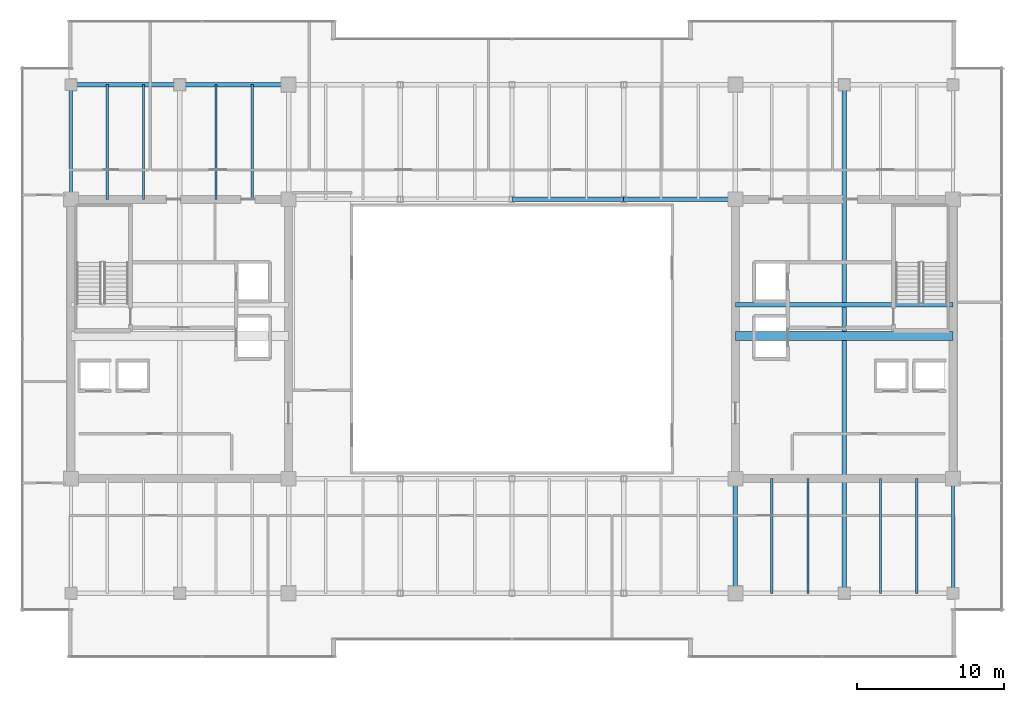
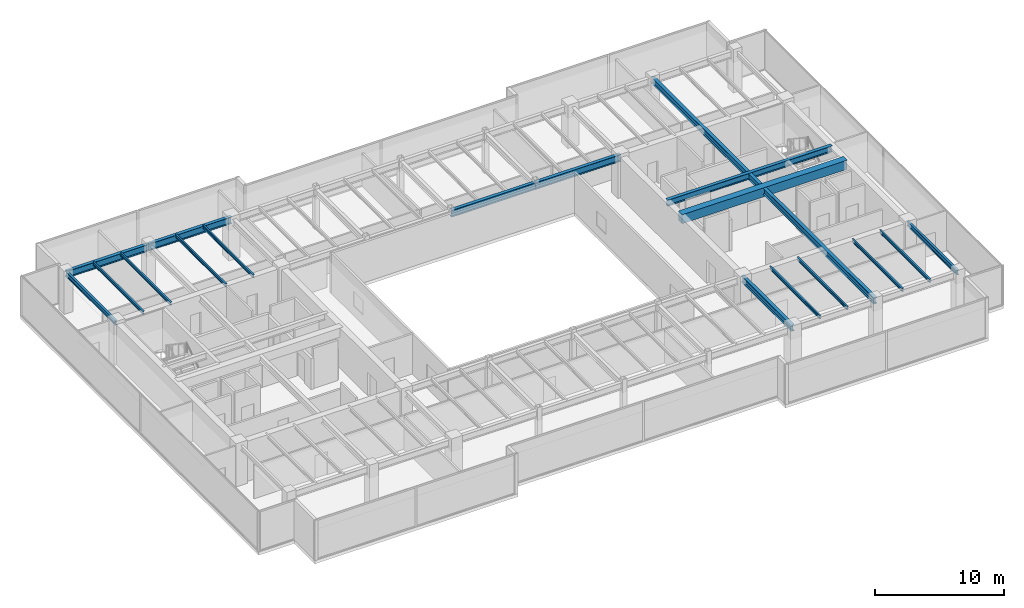
# One storey, part 14 of 35: 18 beams.
"""IFC4 building model written with IfcOpenShell, lengths in metres."""

import ifcopenshell
import ifcopenshell.guid

model = None  # the IFC model being written
_history = None  # IfcOwnerHistory: only IFC2X3 demands one
_inside = {}  # id of a spatial element -> (the spatial element, [elements in it])
_under = {}  # id of a project, library or spatial element -> (it, [spatial elements below it])
_declared = {}  # id of a project -> (the project, [libraries it declares])
_typed = {}  # id of a type object -> (the type object, [elements of that type])
_made_of = {}  # id of a material, layer set ... -> (it, [elements and type objects made of it])


def new_model(schema):
    """Start an empty IFC model of exactly this schema.

    Asked for "IFC4X3", IfcOpenShell would pick the latest addendum, in which some entities
    have other attributes; the version numbers below select the first issue.
    IFC2X3 requires an IfcOwnerHistory on every rooted entity: one is made here for all.
    """
    global model, _history
    if schema == "IFC4X3":
        model = ifcopenshell.file(schema_version=(4, 3, 0, 0))
    else:
        model = ifcopenshell.file(schema=schema)
    _inside.clear()
    _under.clear()
    _declared.clear()
    _typed.clear()
    _made_of.clear()
    _history = None
    if model.schema == "IFC2X3":
        org = make("IfcOrganization", Name="unknown")
        user = make(
            "IfcPersonAndOrganization",
            ThePerson=make("IfcPerson", FamilyName="unknown"),
            TheOrganization=org,
        )
        app = make(
            "IfcApplication",
            ApplicationDeveloper=org,
            Version="unknown",
            ApplicationFullName="unknown",
            ApplicationIdentifier="unknown",
        )
        _history = make(
            "IfcOwnerHistory",
            OwningUser=user,
            OwningApplication=app,
            ChangeAction="ADDED",
            CreationDate=0,
        )
    return model


def make(cls, **values):
    """One entity of the class cls with the attributes given. An attribute that is None is left unset."""
    return model.create_entity(
        cls, **{name: value for name, value in values.items() if value is not None}
    )


def rooted(cls, **values):
    """An entity with a GlobalId (a new one), such as an element, a storey or a relation."""
    return make(cls, GlobalId=ifcopenshell.guid.new(), OwnerHistory=_history, **values)


def si_unit(unit_type, name, prefix=None):
    """IfcSIUnit, for example si_unit("LENGTHUNIT", "METRE", prefix="MILLI")."""
    return make("IfcSIUnit", UnitType=unit_type, Prefix=prefix, Name=name)


def assignment(units):
    """IfcUnitAssignment: the units of a project."""
    return None if units is None else make("IfcUnitAssignment", Units=units)


def point(xyz):
    """IfcCartesianPoint."""
    return None if xyz is None else make("IfcCartesianPoint", Coordinates=xyz)


def direction(xyz):
    """IfcDirection."""
    return None if xyz is None else make("IfcDirection", DirectionRatios=xyz)


def frame(location, z_axis=None, x_axis=None):
    """IfcAxis2Placement3D, a coordinate frame: its origin and axes. An axis left out is left unset."""
    return make(
        "IfcAxis2Placement3D",
        Location=point(location),
        Axis=direction(z_axis),
        RefDirection=direction(x_axis),
    )


def frame_2d(location, x_axis=None):
    """IfcAxis2Placement2D, a coordinate frame in the plane: its origin and x axis."""
    return make(
        "IfcAxis2Placement2D", Location=point(location), RefDirection=direction(x_axis)
    )


def origin():
    """The frame at (0, 0, 0) with its axes left unset."""
    return frame((0.0, 0.0, 0.0))


def origin_2d():
    """The frame at (0, 0) in the plane with its x axis left unset."""
    return frame_2d((0.0, 0.0))


def place(relative_to, where):
    """IfcLocalPlacement: puts the frame where relative to a parent placement (None: the world)."""
    return make(
        "IfcLocalPlacement", PlacementRelTo=relative_to, RelativePlacement=where
    )


def context(
    kind, dimensions, precision=None, world=None, true_north=None, identifier=None
):
    """IfcGeometricRepresentationContext, for example the 3D "Model" context."""
    return make(
        "IfcGeometricRepresentationContext",
        ContextIdentifier=identifier,
        ContextType=kind,
        CoordinateSpaceDimension=dimensions,
        Precision=precision,
        WorldCoordinateSystem=world,
        TrueNorth=true_north,
    )


def subcontext(parent, identifier, kind, view, scale=None):
    """IfcGeometricRepresentationSubContext, for example "Body" below "Model"."""
    return make(
        "IfcGeometricRepresentationSubContext",
        ContextIdentifier=identifier,
        ContextType=kind,
        ParentContext=parent,
        TargetScale=scale,
        TargetView=view,
    )


def project(units=None, contexts=None):
    """IfcProject with its units and contexts."""
    return rooted(
        "IfcProject",
        Name="project",
        RepresentationContexts=contexts,
        UnitsInContext=assignment(units),
    )


def spatial(cls, under=None, at=None, **own):
    """A site, building, storey or space (cls), placed at a placement, below another one or the project."""
    s = rooted(cls, ObjectPlacement=at, **own)
    if under is not None:
        _under.setdefault(under.id(), (under, []))[1].append(s)
    return s


def profile(cls, at=None, kind="AREA", **sizes):
    """A parametric profile (cls). Its sizes go by their IFC names, for example OverallWidth=200.0."""
    return make(cls, ProfileType=kind, Position=at, **sizes)


def rectangle(**sizes):
    """IfcRectangleProfileDef."""
    return profile("IfcRectangleProfileDef", **sizes)


def i_section(**sizes):
    """IfcIShapeProfileDef."""
    return profile("IfcIShapeProfileDef", **sizes)


def extrude(swept, where, along, depth):
    """IfcExtrudedAreaSolid: the profile swept, set in the frame where, extruded along a direction by depth."""
    return make(
        "IfcExtrudedAreaSolid",
        SweptArea=swept,
        Position=where,
        ExtrudedDirection=direction(along),
        Depth=depth,
    )


def shape(context_of_items, identifier, shape_type, items):
    """IfcShapeRepresentation: the items that make up one representation, for example the "Body"."""
    return make(
        "IfcShapeRepresentation",
        ContextOfItems=context_of_items,
        RepresentationIdentifier=identifier,
        RepresentationType=shape_type,
        Items=items,
    )


def source(mapping_origin, context_of_items, identifier, shape_type, items):
    """IfcRepresentationMap: a shape defined once, which mapped items show again and again."""
    return make(
        "IfcRepresentationMap",
        MappingOrigin=mapping_origin,
        MappedRepresentation=shape(context_of_items, identifier, shape_type, items),
    )


def transform(
    local_origin,
    x_axis=None,
    y_axis=None,
    z_axis=None,
    scale=None,
    scale2=None,
    scale3=None,
    uniform=True,
):
    """IfcCartesianTransformationOperator3D, or its non-uniform kind. x_axis, y_axis, z_axis: its Axis1, 2, 3."""
    if uniform:
        return make(
            "IfcCartesianTransformationOperator3D",
            Axis1=direction(x_axis),
            Axis2=direction(y_axis),
            LocalOrigin=point(local_origin),
            Scale=scale,
            Axis3=direction(z_axis),
        )
    return make(
        "IfcCartesianTransformationOperator3DnonUniform",
        Axis1=direction(x_axis),
        Axis2=direction(y_axis),
        LocalOrigin=point(local_origin),
        Scale=scale,
        Axis3=direction(z_axis),
        Scale2=scale2,
        Scale3=scale3,
    )


def mapped(mapping_source, mapping_target):
    """IfcMappedItem: shows the shape of a source again, moved by a transform."""
    return make(
        "IfcMappedItem", MappingSource=mapping_source, MappingTarget=mapping_target
    )


def material(Name=None, Category=None):
    """IfcMaterial."""
    return make("IfcMaterial", Name=Name, Category=Category)


def material_profile(
    of_material, cross_section, Name=None, Category=None, Priority=None
):
    """IfcMaterialProfile: a cross section and its material."""
    return make(
        "IfcMaterialProfile",
        Name=Name,
        Material=of_material,
        Profile=cross_section,
        Priority=Priority,
        Category=Category,
    )


def profile_set(profiles, Name=None, composite=None):
    """IfcMaterialProfileSet."""
    return make(
        "IfcMaterialProfileSet",
        Name=Name,
        MaterialProfiles=profiles,
        CompositeProfile=composite,
    )


def made_of(thing, what):
    """Note that an element or type object is made of a material, layer set ...; save() writes the relation."""
    if what is not None:
        _made_of.setdefault(what.id(), (what, []))[1].append(thing)
    return thing


def type_object(cls, material=None, **own):
    """A type object (cls), such as IfcWallType, which elements share."""
    return made_of(rooted(cls, **own), material)


def type_shapes(of_type, sources):
    """Give a type object the sources (RepresentationMaps) that its elements show as mapped items."""
    of_type.RepresentationMaps = sources


def element(
    cls,
    number,
    at=None,
    inside=None,
    cuts=None,
    type_object=None,
    material=None,
    context=None,
    identifier="Body",
    shape_type=None,
    held_by="IfcProductDefinitionShape",
    body=None,
    shapes=None,
    **own,
):
    """One element of the class cls, such as IfcWall. Its Tag is "e" and its number.

    at: its placement. inside: the storey or other place that contains it. cuts: it is an
    opening in that element (IfcRelVoidsElement). A single representation is given by context,
    identifier, shape_type and body (its items); several are given by shapes. held_by: the class
    of the entity that holds the representations. save() writes the other relations.
    """
    e = rooted(cls, Tag="e%d" % number, ObjectPlacement=at, **own)
    if body is not None:
        shapes = [shape(context, identifier, shape_type, body)]
    if shapes is not None:
        e.Representation = make(held_by, Representations=shapes)
    if inside is not None:
        _inside.setdefault(inside.id(), (inside, []))[1].append(e)
    if cuts is not None:
        rooted(
            "IfcRelVoidsElement", RelatingBuildingElement=cuts, RelatedOpeningElement=e
        )
    if type_object is not None:
        _typed.setdefault(type_object.id(), (type_object, []))[1].append(e)
    return made_of(e, material)


def aggregate(whole, parts):
    """IfcRelAggregates: a whole, such as a stair, and the parts it consists of."""
    return rooted("IfcRelAggregates", RelatingObject=whole, RelatedObjects=parts)


def save(model, path):
    """Write the relations noted so far, then the file.

    IfcRelAggregates (storeys below a building ...), IfcRelContainedInSpatialStructure (elements
    in a storey), IfcRelDefinesByType, IfcRelAssociatesMaterial and IfcRelDeclares: one each for
    every whole, place, type object, material and project.
    """
    for whole, parts in _under.values():
        aggregate(whole, parts)
    for where, things in _inside.values():
        rooted(
            "IfcRelContainedInSpatialStructure",
            RelatedElements=things,
            RelatingStructure=where,
        )
    for kind, things in _typed.values():
        rooted("IfcRelDefinesByType", RelatedObjects=things, RelatingType=kind)
    for what, things in _made_of.values():
        rooted("IfcRelAssociatesMaterial", RelatedObjects=things, RelatingMaterial=what)
    for by, libraries in _declared.values():
        rooted("IfcRelDeclares", RelatingContext=by, RelatedDefinitions=libraries)
    model.write(path)


model = new_model("IFC4")

# Units and contexts
model_context = context("Model", 3, precision=1e-05, world=origin(), true_north=direction((0.0, 1.0)))
body_context = subcontext(model_context, "Body", "Model", "MODEL_VIEW")
ifc_project = project(units=[si_unit("LENGTHUNIT", "METRE"), si_unit("AREAUNIT", "SQUARE_METRE"), si_unit("VOLUMEUNIT", "CUBIC_METRE"), si_unit("PLANEANGLEUNIT", "RADIAN"), si_unit("MASSUNIT", "GRAM", prefix="KILO")], contexts=[model_context])

# Site, building, storey
site_placement = place(None, origin())
site = spatial("IfcSite", under=ifc_project, at=site_placement, CompositionType="ELEMENT")
building_placement = place(site_placement, origin())
building = spatial("IfcBuilding", under=site, at=building_placement, Name="Haelvirn Gate Laboratories", CompositionType="ELEMENT")
storey_placement = place(building_placement, frame((0.0, 0.0, 234.199951171875)))
storey = spatial("IfcBuildingStorey", under=building, at=storey_placement, Name="L56", CompositionType="ELEMENT", Elevation=234.199951171875)

# Beams
ifc_material_1 = material(Name="Steel SM355", Category="steel")
ifc_material_profile_1 = material_profile(ifc_material_1, i_section(OverallWidth=0.300048828125, OverallDepth=0.587890625, WebThickness=0.011962890625, FlangeThickness=0.02001953125, at=origin_2d()), Name="H-588x300x12x20")
ifc_profile_set_1 = profile_set([ifc_material_profile_1], Name="Steel SM355")
beam_type_1 = type_object("IfcBeamType", Name="BM-G-588", PredefinedType="BEAM", material=ifc_profile_set_1)
shared_shape_1 = source(origin(), body_context, "Body", "SweptSolid", [
    extrude(i_section(OverallWidth=0.300048828125, OverallDepth=0.587890625, WebThickness=0.011962890625, FlangeThickness=0.02001953125, at=origin_2d()), origin(), (0.0, 0.0, 1.0), 14.7998046875),
])
beam_1_placement = place(storey_placement, frame((52.60009765625, 26.6201171875, 3.506103515625), z_axis=(1.0, 0.0, 0.0), x_axis=(0.0, 1.0, 0.0)))
element("IfcBeam", 1, at=beam_1_placement, inside=storey, type_object=beam_type_1, Name="L56 Stair ST2 Landing Header", PredefinedType="BEAM", context=body_context, shape_type="MappedRepresentation", body=[
    mapped(shared_shape_1, transform((0.0, 0.0, 0.0), scale=1.0)),
])
ifc_material_profile_2 = material_profile(ifc_material_1, i_section(OverallWidth=0.14990234375, OverallDepth=0.300048828125, WebThickness=0.006591796875, FlangeThickness=0.009033203125, at=origin_2d()), Name="H-300x150x6.5x9")
ifc_profile_set_2 = profile_set([ifc_material_profile_2], Name="Steel SM355")
beam_type_2 = type_object("IfcBeamType", Name="BM-J-300", PredefinedType="JOIST", material=ifc_profile_set_2)
shared_shape_2 = source(origin(), body_context, "Body", "SweptSolid", [
    extrude(i_section(OverallWidth=0.14990234375, OverallDepth=0.300048828125, WebThickness=0.006591796875, FlangeThickness=0.009033203125, at=origin_2d()), origin(), (0.0, 0.0, 1.0), 7.800048828125),
])
type_shapes(beam_type_2, [shared_shape_2])
for number, where, z_axis, x_axis, name in (
    (2, (9.8701171875, 33.800048828125, 3.650146484375), (0.0, 1.0, 0.0), (-1.0, 0.0, 0.0), "L56 Composite Lab Joist North X9.87"),
    (3, (12.330078125, 33.800048828125, 3.650146484375), (0.0, 1.0, 0.0), (-1.0, 0.0, 0.0), "L56 Composite Lab Joist North X12.33"),
    (4, (17.27001953125, 33.800048828125, 3.650146484375), (0.0, 1.0, 0.0), (-1.0, 0.0, 0.0), "L56 Composite Lab Joist North X17.27"),
    (5, (19.72998046875, 33.800048828125, 3.650146484375), (0.0, 1.0, 0.0), (-1.0, 0.0, 0.0), "L56 Composite Lab Joist North X19.73"),
    (6, (55.070068359375, 7.0, 3.650146484375), (0.0, 1.0, 0.0), (-1.0, 0.0, 0.0), "L56 Composite Lab Joist South X55.07"),
    (7, (57.530029296875, 7.0, 3.650146484375), (0.0, 1.0, 0.0), (-1.0, 0.0, 0.0), "L56 Composite Lab Joist South X57.53"),
    (8, (62.469970703125, 7.0, 3.650146484375), (0.0, 1.0, 0.0), (-1.0, 0.0, 0.0), "L56 Composite Lab Joist South X62.47"),
    (9, (64.929931640625, 7.0, 3.650146484375), (0.0, 1.0, 0.0), (-1.0, 0.0, 0.0), "L56 Composite Lab Joist South X64.93"),
):
    element("IfcBeam", number, at=place(storey_placement, frame(where, z_axis=z_axis, x_axis=x_axis)), inside=storey, type_object=beam_type_2, Name=name, PredefinedType="JOIST", context=body_context, shape_type="MappedRepresentation", body=[
        mapped(shared_shape_2, transform((0.0, 0.0, 0.0), scale=1.0)),
    ])
shared_shape_3 = source(origin(), body_context, "Body", "SweptSolid", [
    extrude(i_section(OverallWidth=0.300048828125, OverallDepth=0.587890625, WebThickness=0.011962890625, FlangeThickness=0.02001953125, at=origin_2d()), origin(), (0.0, 0.0, 1.0), 34.60009765625),
])
beam_2_placement = place(storey_placement, frame((60.0, 7.0, 3.506103515625), z_axis=(0.0, 1.0, 0.0), x_axis=(-1.0, 0.0, 0.0)))
element("IfcBeam", 10, at=beam_2_placement, inside=storey, type_object=beam_type_1, Name="L56 Frame Girder X60.0 (7.0-41.6)", PredefinedType="BEAM", context=body_context, shape_type="MappedRepresentation", body=[
    mapped(shared_shape_3, transform((0.0, 0.0, 0.0), scale=1.0)),
])
shared_shape_4 = source(origin(), body_context, "Body", "SweptSolid", [
    extrude(i_section(OverallWidth=0.300048828125, OverallDepth=0.587890625, WebThickness=0.011962890625, FlangeThickness=0.02001953125, at=origin_2d()), origin(), (0.0, 0.0, 1.0), 7.800048828125),
])
type_shapes(beam_type_1, [shared_shape_1, shared_shape_3, shared_shape_4])
beam_3_placement = place(storey_placement, frame((52.60009765625, 7.0, 3.506103515625), z_axis=(0.0, 1.0, 0.0), x_axis=(-1.0, 0.0, 0.0)))
element("IfcBeam", 11, at=beam_3_placement, inside=storey, type_object=beam_type_1, Name="L56 Frame Girder X52.6 (7.0-14.8)", PredefinedType="BEAM", context=body_context, shape_type="MappedRepresentation", body=[
    mapped(shared_shape_4, transform((0.0, 0.0, 0.0), scale=1.0)),
])
ifc_material_2 = material(Name="Concrete C50/60", Category="concrete")
ifc_material_profile_3 = material_profile(ifc_material_2, rectangle(XDim=0.60009765625, YDim=0.85009765625, at=origin_2d()), Name="RCB-600x850")
ifc_profile_set_3 = profile_set([ifc_material_profile_3], Name="Concrete C50/60")
beam_type_3 = type_object("IfcBeamType", Name="BM-RCB-850", PredefinedType="LINTEL", material=ifc_profile_set_3)
shared_shape_5 = source(origin(), body_context, "Body", "SweptSolid", [
    extrude(rectangle(XDim=0.60009765625, YDim=0.85009765625, at=origin_2d()), origin(), (0.0, 0.0, 1.0), 14.7998046875),
])
type_shapes(beam_type_3, [shared_shape_5])
beam_4_placement = place(storey_placement, frame((52.60009765625, 24.5, 3.375), z_axis=(1.0, 0.0, 0.0), x_axis=(0.0, 1.0, 0.0)))
element("IfcBeam", 12, at=beam_4_placement, inside=storey, type_object=beam_type_3, Name="L56 East Core Coupling Beam", PredefinedType="LINTEL", context=body_context, shape_type="MappedRepresentation", body=[
    mapped(shared_shape_5, transform((0.0, 0.0, 0.0), scale=1.0)),
])
ifc_material_profile_4 = material_profile(ifc_material_1, i_section(OverallWidth=0.300048828125, OverallDepth=0.64990234375, WebThickness=0.012939453125, FlangeThickness=0.02197265625, at=origin_2d()), Name="H-650x300x13x22")
ifc_profile_set_4 = profile_set([ifc_material_profile_4], Name="Steel SM355")
beam_type_4 = type_object("IfcBeamType", Name="BM-G-650", PredefinedType="BEAM", material=ifc_profile_set_4)
shared_shape_6 = source(origin(), body_context, "Body", "SweptSolid", [
    extrude(i_section(OverallWidth=0.300048828125, OverallDepth=0.64990234375, WebThickness=0.012939453125, FlangeThickness=0.02197265625, at=origin_2d()), origin(), (0.0, 0.0, 1.0), 7.400146484375),
])
beam_5_placement = place(storey_placement, frame((7.39990234375, 41.60009765625, 3.47509765625), z_axis=(1.0, 0.0, 0.0), x_axis=(0.0, 1.0, 0.0)))
element("IfcBeam", 13, at=beam_5_placement, inside=storey, type_object=beam_type_4, Name="L56 Primary Girder Y41.6 (7.4-14.8)", PredefinedType="BEAM", context=body_context, shape_type="MappedRepresentation", body=[
    mapped(shared_shape_6, transform((0.0, 0.0, 0.0), scale=1.0)),
])
shared_shape_7 = source(origin(), body_context, "Body", "SweptSolid", [
    extrude(i_section(OverallWidth=0.300048828125, OverallDepth=0.64990234375, WebThickness=0.012939453125, FlangeThickness=0.02197265625, at=origin_2d()), origin(), (0.0, 0.0, 1.0), 7.39990234375),
])
beam_6_placement = place(storey_placement, frame((14.800048828125, 41.60009765625, 3.47509765625), z_axis=(1.0, 0.0, 0.0), x_axis=(0.0, 1.0, 0.0)))
element("IfcBeam", 14, at=beam_6_placement, inside=storey, type_object=beam_type_4, Name="L56 Primary Girder Y41.6 (14.8-22.2)", PredefinedType="BEAM", context=body_context, shape_type="MappedRepresentation", body=[
    mapped(shared_shape_7, transform((0.0, 0.0, 0.0), scale=1.0)),
])
shared_shape_8 = source(origin(), body_context, "Body", "SweptSolid", [
    extrude(i_section(OverallWidth=0.300048828125, OverallDepth=0.64990234375, WebThickness=0.012939453125, FlangeThickness=0.02197265625, at=origin_2d()), origin(), (0.0, 0.0, 1.0), 7.60009765625),
])
type_shapes(beam_type_4, [shared_shape_6, shared_shape_7, shared_shape_8])
for number, where, z_axis, x_axis, name in (
    (15, (37.39990234375, 33.800048828125, 3.47509765625), (1.0, 0.0, 0.0), (0.0, 1.0, 0.0), "L56 Primary Girder Y33.8 (37.4-45.0)"),
    (16, (45.0, 33.800048828125, 3.47509765625), (1.0, 0.0, 0.0), (0.0, 1.0, 0.0), "L56 Primary Girder Y33.8 (45.0-52.6)"),
):
    element("IfcBeam", number, at=place(storey_placement, frame(where, z_axis=z_axis, x_axis=x_axis)), inside=storey, type_object=beam_type_4, Name=name, PredefinedType="BEAM", context=body_context, shape_type="MappedRepresentation", body=[
        mapped(shared_shape_8, transform((0.0, 0.0, 0.0), scale=1.0)),
    ])
ifc_material_profile_5 = material_profile(ifc_material_1, i_section(OverallWidth=0.199951171875, OverallDepth=0.449951171875, WebThickness=0.009033203125, FlangeThickness=0.013916015625, at=origin_2d()), Name="H-450x200x9x14")
ifc_profile_set_5 = profile_set([ifc_material_profile_5], Name="Steel SM355")
beam_type_5 = type_object("IfcBeamType", Name="BM-SP-450", PredefinedType="SPANDREL", material=ifc_profile_set_5)
shared_shape_9 = source(origin(), body_context, "Body", "SweptSolid", [
    extrude(i_section(OverallWidth=0.199951171875, OverallDepth=0.449951171875, WebThickness=0.009033203125, FlangeThickness=0.013916015625, at=origin_2d()), origin(), (0.0, 0.0, 1.0), 7.800048828125),
])
type_shapes(beam_type_5, [shared_shape_9])
for number, where, z_axis, x_axis, name in (
    (17, (7.39990234375, 33.800048828125, 3.574951171875), (0.0, 1.0, 0.0), (-1.0, 0.0, 0.0), "L56 Perimeter Spandrel X7.4 (33.8-41.6)"),
    (18, (67.39990234375, 7.0, 3.574951171875), (0.0, 1.0, 0.0), (-1.0, 0.0, 0.0), "L56 Perimeter Spandrel X67.4 (7.0-14.8)"),
):
    element("IfcBeam", number, at=place(storey_placement, frame(where, z_axis=z_axis, x_axis=x_axis)), inside=storey, type_object=beam_type_5, Name=name, PredefinedType="SPANDREL", context=body_context, shape_type="MappedRepresentation", body=[
        mapped(shared_shape_9, transform((0.0, 0.0, 0.0), scale=1.0)),
    ])

save(model, "model.ifc")
